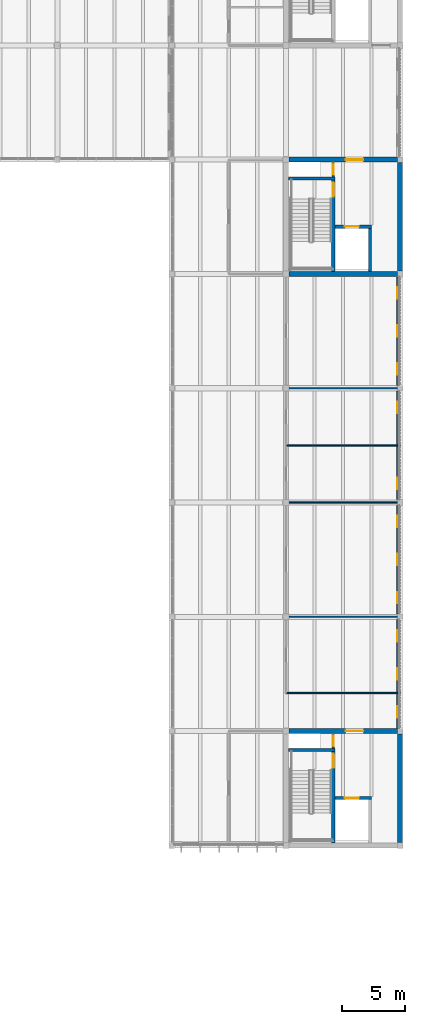
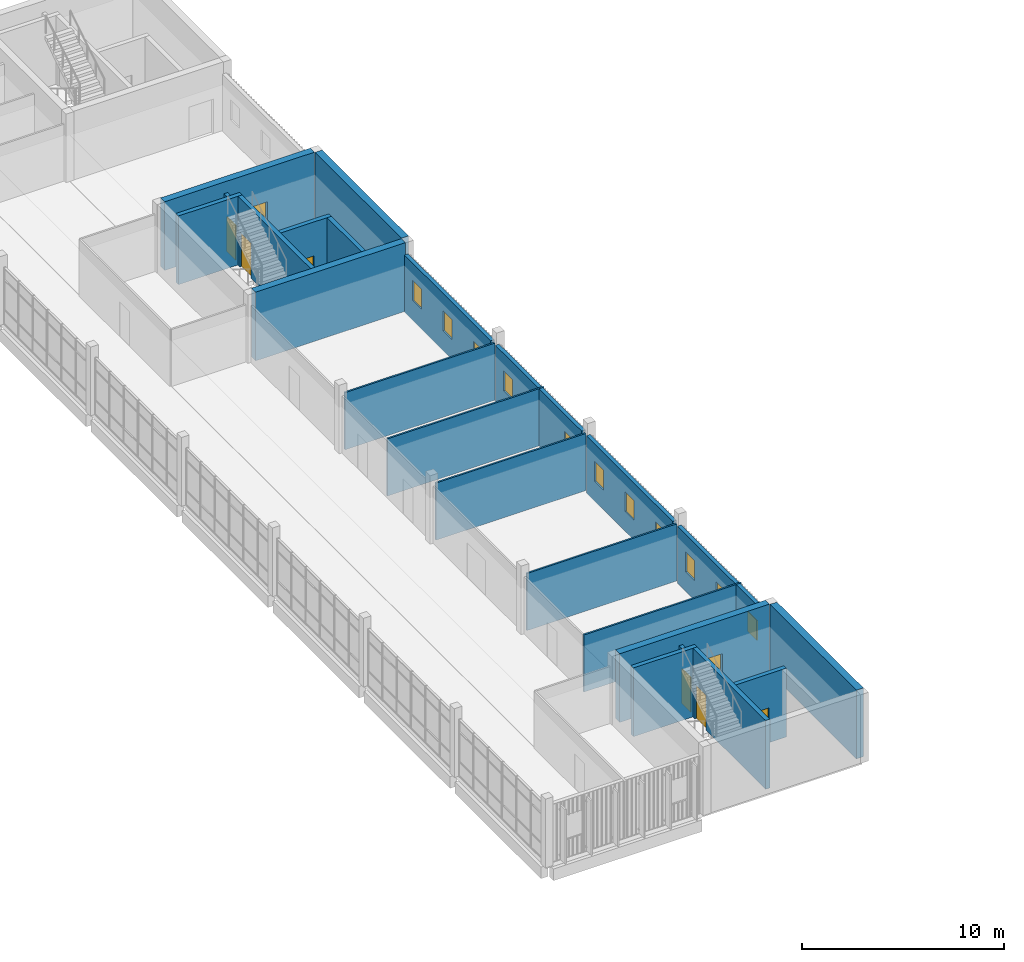
# One storey, part 55 of 88: 25 walls, 11 windows, 8 doors, 19 openings.
"""IFC4 building model written with IfcOpenShell, lengths in metres."""

from ifc_helpers import new_model, si_unit, direction, frame, frame_2d, origin, place, context, subcontext, project, spatial, rectangle, extrude, material, layer, layer_set, type_object, element, fill, save


model = new_model("IFC4")

# Units and contexts
model_context = context("Model", 3, precision=1e-05, world=origin(), true_north=direction((0.0, 1.0)))
body_context = subcontext(model_context, "Body", "Model", "MODEL_VIEW")
ifc_project = project(units=[si_unit("LENGTHUNIT", "METRE"), si_unit("AREAUNIT", "SQUARE_METRE"), si_unit("VOLUMEUNIT", "CUBIC_METRE"), si_unit("PLANEANGLEUNIT", "RADIAN"), si_unit("MASSUNIT", "GRAM", prefix="KILO")], contexts=[model_context])

# Site, building, storey
site_placement = place(None, origin())
site = spatial("IfcSite", under=ifc_project, at=site_placement, CompositionType="ELEMENT")
building_placement = place(site_placement, origin())
building = spatial("IfcBuilding", under=site, at=building_placement, Name="Merrow Basin Faculty of Sciences", CompositionType="ELEMENT")
storey_placement = place(building_placement, frame((0.0, 0.0, 9.0)))
storey = spatial("IfcBuildingStorey", under=building, at=storey_placement, Name="L02", CompositionType="ELEMENT", Elevation=9.0)

# Wall, opening, window
ifc_material_1 = material(Name="Precast concrete C40/50", Category="concrete")
ifc_layer_1 = layer(ifc_material_1, 0.215087890625)
ifc_layer_set_1 = layer_set([ifc_layer_1], Name="External infill wall 215 Precast concrete C40/50")
wall_type_1 = type_object("IfcWallType", Name="External infill wall 215 Precast concrete C40/50", PredefinedType="STANDARD", material=ifc_layer_set_1)
wall_1_placement = place(storey_placement, frame((71.80810546875, 72.949951171875, 0.0), z_axis=(0.0, 0.0, 1.0), x_axis=(0.0, -1.0, 0.0)))
wall_1 = element("IfcWall", 1, at=wall_1_placement, inside=storey, type_object=wall_type_1, Name="E external wall 1", PredefinedType="STANDARD", context=body_context, shape_type="SweptSolid", body=[
    extrude(rectangle(XDim=2.724853515625, YDim=0.215087890625, at=frame_2d((1.3623046875, 0.0))), origin(), (0.0, 0.0, 1.0), 3.449951171875),
])
opening_1_placement = place(wall_1_placement, frame((1.0, 0.0, 1.199951171875)))
opening_1 = element("IfcOpeningElement", 2, at=opening_1_placement, cuts=wall_1, Name="Opening WN18", PredefinedType="OPENING", context=body_context, shape_type="SweptSolid", body=[
    extrude(rectangle(XDim=0.89990234375, YDim=1.199951171875, at=frame_2d((0.449951171875, 0.60009765625))), frame((0.0, 0.117431640625, 0.0), z_axis=(0.0, -1.0, 0.0), x_axis=(1.0, 0.0, 0.0)), (0.0, 0.0, 1.0), 0.235107421875),
])
ifc_material_2 = material(Name="Low-E double glazing", Category="glass")
window_type = type_object("IfcWindowType", Name="Boundary window 900 x 1200", PartitioningType="SINGLE_PANEL", PredefinedType="WINDOW", material=ifc_material_2)
window_1_placement = place(opening_1_placement, origin())
window_1 = element("IfcWindow", 3, at=window_1_placement, inside=storey, type_object=window_type, Name="E window L02", OverallHeight=1.199951171875, OverallWidth=0.89990234375, PartitioningType="SINGLE_PANEL", PredefinedType="WINDOW", context=body_context, shape_type="SweptSolid", body=[
    extrude(rectangle(XDim=0.89990234375, YDim=1.199951171875, at=frame_2d((0.449951171875, 0.60009765625))), frame((0.0, 0.030029296875, 0.0), z_axis=(0.0, -1.0, 0.0), x_axis=(1.0, 0.0, 0.0)), (0.0, 0.0, 1.0), 0.06005859375),
])
fill(opening_1, window_1)

# Wall, openings, windows
wall_2_placement = place(storey_placement, frame((71.80810546875, 78.77490234375, 0.0), z_axis=(0.0, 0.0, 1.0), x_axis=(0.0, -1.0, 0.0)))
wall_2 = element("IfcWall", 4, at=wall_2_placement, inside=storey, type_object=wall_type_1, Name="E external wall 2", PredefinedType="STANDARD", context=body_context, shape_type="SweptSolid", body=[
    extrude(rectangle(XDim=5.724853515625, YDim=0.215087890625, at=frame_2d((2.8623046875, 0.0))), origin(), (0.0, 0.0, 1.0), 3.449951171875),
])
opening_2_placement = place(wall_2_placement, frame((3.824951171875, 0.0, 1.199951171875)))
opening_2 = element("IfcOpeningElement", 5, at=opening_2_placement, cuts=wall_2, Name="Opening WN18", PredefinedType="OPENING", context=body_context, shape_type="SweptSolid", body=[
    extrude(rectangle(XDim=0.89990234375, YDim=1.199951171875, at=frame_2d((0.449951171875, 0.60009765625))), frame((0.0, 0.117431640625, 0.0), z_axis=(0.0, -1.0, 0.0), x_axis=(1.0, 0.0, 0.0)), (0.0, 0.0, 1.0), 0.235107421875),
])
opening_3_placement = place(wall_2_placement, frame((0.824951171875, 0.0, 1.199951171875)))
opening_3 = element("IfcOpeningElement", 6, at=opening_3_placement, cuts=wall_2, Name="Opening WN18", PredefinedType="OPENING", context=body_context, shape_type="SweptSolid", body=[
    extrude(rectangle(XDim=0.89990234375, YDim=1.199951171875, at=frame_2d((0.449951171875, 0.60009765625))), frame((0.0, 0.117431640625, 0.0), z_axis=(0.0, -1.0, 0.0), x_axis=(1.0, 0.0, 0.0)), (0.0, 0.0, 1.0), 0.235107421875),
])
window_2_placement = place(opening_2_placement, origin())
window_2 = element("IfcWindow", 7, at=window_2_placement, inside=storey, type_object=window_type, Name="E window L02", OverallHeight=1.199951171875, OverallWidth=0.89990234375, PartitioningType="SINGLE_PANEL", PredefinedType="WINDOW", context=body_context, shape_type="SweptSolid", body=[
    extrude(rectangle(XDim=0.89990234375, YDim=1.199951171875, at=frame_2d((0.449951171875, 0.60009765625))), frame((0.0, 0.030029296875, 0.0), z_axis=(0.0, -1.0, 0.0), x_axis=(1.0, 0.0, 0.0)), (0.0, 0.0, 1.0), 0.06005859375),
])
fill(opening_2, window_2)
window_3_placement = place(opening_3_placement, origin())
window_3 = element("IfcWindow", 8, at=window_3_placement, inside=storey, type_object=window_type, Name="E window L02", OverallHeight=1.199951171875, OverallWidth=0.89990234375, PartitioningType="SINGLE_PANEL", PredefinedType="WINDOW", context=body_context, shape_type="SweptSolid", body=[
    extrude(rectangle(XDim=0.89990234375, YDim=1.199951171875, at=frame_2d((0.449951171875, 0.60009765625))), frame((0.0, 0.030029296875, 0.0), z_axis=(0.0, -1.0, 0.0), x_axis=(1.0, 0.0, 0.0)), (0.0, 0.0, 1.0), 0.06005859375),
])
fill(opening_3, window_3)

wall_3_placement = place(storey_placement, frame((71.80810546875, 87.77490234375, 0.0), z_axis=(0.0, 0.0, 1.0), x_axis=(0.0, -1.0, 0.0)))
wall_3 = element("IfcWall", 9, at=wall_3_placement, inside=storey, type_object=wall_type_1, Name="E external wall 3", PredefinedType="STANDARD", context=body_context, shape_type="SweptSolid", body=[
    extrude(rectangle(XDim=8.5498046875, YDim=0.215087890625, at=frame_2d((4.27490234375, 0.0))), origin(), (0.0, 0.0, 1.0), 3.449951171875),
])
opening_4_placement = place(wall_3_placement, frame((6.824951171875, 0.0, 1.199951171875)))
opening_4 = element("IfcOpeningElement", 10, at=opening_4_placement, cuts=wall_3, Name="Opening WN18", PredefinedType="OPENING", context=body_context, shape_type="SweptSolid", body=[
    extrude(rectangle(XDim=0.89990234375, YDim=1.199951171875, at=frame_2d((0.449951171875, 0.60009765625))), frame((0.0, 0.117431640625, 0.0), z_axis=(0.0, -1.0, 0.0), x_axis=(1.0, 0.0, 0.0)), (0.0, 0.0, 1.0), 0.235107421875),
])
opening_5_placement = place(wall_3_placement, frame((3.824951171875, 0.0, 1.199951171875)))
opening_5 = element("IfcOpeningElement", 11, at=opening_5_placement, cuts=wall_3, Name="Opening WN18", PredefinedType="OPENING", context=body_context, shape_type="SweptSolid", body=[
    extrude(rectangle(XDim=0.89990234375, YDim=1.199951171875, at=frame_2d((0.449951171875, 0.60009765625))), frame((0.0, 0.117431640625, 0.0), z_axis=(0.0, -1.0, 0.0), x_axis=(1.0, 0.0, 0.0)), (0.0, 0.0, 1.0), 0.235107421875),
])
opening_6_placement = place(wall_3_placement, frame((0.824951171875, 0.0, 1.199951171875)))
opening_6 = element("IfcOpeningElement", 12, at=opening_6_placement, cuts=wall_3, Name="Opening WN18", PredefinedType="OPENING", context=body_context, shape_type="SweptSolid", body=[
    extrude(rectangle(XDim=0.89990234375, YDim=1.199951171875, at=frame_2d((0.449951171875, 0.60009765625))), frame((0.0, 0.117431640625, 0.0), z_axis=(0.0, -1.0, 0.0), x_axis=(1.0, 0.0, 0.0)), (0.0, 0.0, 1.0), 0.235107421875),
])
window_4_placement = place(opening_4_placement, origin())
window_4 = element("IfcWindow", 13, at=window_4_placement, inside=storey, type_object=window_type, Name="E window L02", OverallHeight=1.199951171875, OverallWidth=0.89990234375, PartitioningType="SINGLE_PANEL", PredefinedType="WINDOW", context=body_context, shape_type="SweptSolid", body=[
    extrude(rectangle(XDim=0.89990234375, YDim=1.199951171875, at=frame_2d((0.449951171875, 0.60009765625))), frame((0.0, 0.030029296875, 0.0), z_axis=(0.0, -1.0, 0.0), x_axis=(1.0, 0.0, 0.0)), (0.0, 0.0, 1.0), 0.06005859375),
])
fill(opening_4, window_4)
window_5_placement = place(opening_5_placement, origin())
window_5 = element("IfcWindow", 14, at=window_5_placement, inside=storey, type_object=window_type, Name="E window L02", OverallHeight=1.199951171875, OverallWidth=0.89990234375, PartitioningType="SINGLE_PANEL", PredefinedType="WINDOW", context=body_context, shape_type="SweptSolid", body=[
    extrude(rectangle(XDim=0.89990234375, YDim=1.199951171875, at=frame_2d((0.449951171875, 0.60009765625))), frame((0.0, 0.030029296875, 0.0), z_axis=(0.0, -1.0, 0.0), x_axis=(1.0, 0.0, 0.0)), (0.0, 0.0, 1.0), 0.06005859375),
])
fill(opening_5, window_5)
window_6_placement = place(opening_6_placement, origin())
window_6 = element("IfcWindow", 15, at=window_6_placement, inside=storey, type_object=window_type, Name="E window L02", OverallHeight=1.199951171875, OverallWidth=0.89990234375, PartitioningType="SINGLE_PANEL", PredefinedType="WINDOW", context=body_context, shape_type="SweptSolid", body=[
    extrude(rectangle(XDim=0.89990234375, YDim=1.199951171875, at=frame_2d((0.449951171875, 0.60009765625))), frame((0.0, 0.030029296875, 0.0), z_axis=(0.0, -1.0, 0.0), x_axis=(1.0, 0.0, 0.0)), (0.0, 0.0, 1.0), 0.06005859375),
])
fill(opening_6, window_6)

# Wall, opening, window
wall_4_placement = place(storey_placement, frame((71.80810546875, 92.449951171875, 0.0), z_axis=(0.0, 0.0, 1.0), x_axis=(0.0, -1.0, 0.0)))
wall_4 = element("IfcWall", 16, at=wall_4_placement, inside=storey, type_object=wall_type_1, Name="E external wall 4", PredefinedType="STANDARD", context=body_context, shape_type="SweptSolid", body=[
    extrude(rectangle(XDim=4.224853515625, YDim=0.215087890625, at=frame_2d((2.1123046875, 0.0))), origin(), (0.0, 0.0, 1.0), 3.449951171875),
])
opening_7_placement = place(wall_4_placement, frame((2.5, 0.0, 1.199951171875)))
opening_7 = element("IfcOpeningElement", 17, at=opening_7_placement, cuts=wall_4, Name="Opening WN18", PredefinedType="OPENING", context=body_context, shape_type="SweptSolid", body=[
    extrude(rectangle(XDim=0.89990234375, YDim=1.199951171875, at=frame_2d((0.449951171875, 0.60009765625))), frame((0.0, 0.117431640625, 0.0), z_axis=(0.0, -1.0, 0.0), x_axis=(1.0, 0.0, 0.0)), (0.0, 0.0, 1.0), 0.235107421875),
])
window_7_placement = place(opening_7_placement, origin())
window_7 = element("IfcWindow", 18, at=window_7_placement, inside=storey, type_object=window_type, Name="E window L02", OverallHeight=1.199951171875, OverallWidth=0.89990234375, PartitioningType="SINGLE_PANEL", PredefinedType="WINDOW", context=body_context, shape_type="SweptSolid", body=[
    extrude(rectangle(XDim=0.89990234375, YDim=1.199951171875, at=frame_2d((0.449951171875, 0.60009765625))), frame((0.0, 0.030029296875, 0.0), z_axis=(0.0, -1.0, 0.0), x_axis=(1.0, 0.0, 0.0)), (0.0, 0.0, 1.0), 0.06005859375),
])
fill(opening_7, window_7)

wall_5_placement = place(storey_placement, frame((71.80810546875, 96.77490234375, 0.0), z_axis=(0.0, 0.0, 1.0), x_axis=(0.0, -1.0, 0.0)))
wall_5 = element("IfcWall", 19, at=wall_5_placement, inside=storey, type_object=wall_type_1, Name="E external wall 5", PredefinedType="STANDARD", context=body_context, shape_type="SweptSolid", body=[
    extrude(rectangle(XDim=4.224853515625, YDim=0.215087890625, at=frame_2d((2.1123046875, 0.0))), origin(), (0.0, 0.0, 1.0), 3.449951171875),
])
opening_8_placement = place(wall_5_placement, frame((0.824951171875, 0.0, 1.199951171875)))
opening_8 = element("IfcOpeningElement", 20, at=opening_8_placement, cuts=wall_5, Name="Opening WN18", PredefinedType="OPENING", context=body_context, shape_type="SweptSolid", body=[
    extrude(rectangle(XDim=0.89990234375, YDim=1.199951171875, at=frame_2d((0.449951171875, 0.60009765625))), frame((0.0, 0.117431640625, 0.0), z_axis=(0.0, -1.0, 0.0), x_axis=(1.0, 0.0, 0.0)), (0.0, 0.0, 1.0), 0.235107421875),
])
window_8_placement = place(opening_8_placement, origin())
window_8 = element("IfcWindow", 21, at=window_8_placement, inside=storey, type_object=window_type, Name="E window L02", OverallHeight=1.199951171875, OverallWidth=0.89990234375, PartitioningType="SINGLE_PANEL", PredefinedType="WINDOW", context=body_context, shape_type="SweptSolid", body=[
    extrude(rectangle(XDim=0.89990234375, YDim=1.199951171875, at=frame_2d((0.449951171875, 0.60009765625))), frame((0.0, 0.030029296875, 0.0), z_axis=(0.0, -1.0, 0.0), x_axis=(1.0, 0.0, 0.0)), (0.0, 0.0, 1.0), 0.06005859375),
])
fill(opening_8, window_8)

# Wall, openings, windows
wall_6_placement = place(storey_placement, frame((71.80810546875, 105.77490234375, 0.0), z_axis=(0.0, 0.0, 1.0), x_axis=(0.0, -1.0, 0.0)))
wall_6 = element("IfcWall", 22, at=wall_6_placement, inside=storey, type_object=wall_type_1, Name="E external wall 6", PredefinedType="STANDARD", context=body_context, shape_type="SweptSolid", body=[
    extrude(rectangle(XDim=8.5498046875, YDim=0.215087890625, at=frame_2d((4.27490234375, 0.0))), origin(), (0.0, 0.0, 1.0), 3.449951171875),
])
opening_9_placement = place(wall_6_placement, frame((6.824951171875, 0.0, 1.199951171875)))
opening_9 = element("IfcOpeningElement", 23, at=opening_9_placement, cuts=wall_6, Name="Opening WN18", PredefinedType="OPENING", context=body_context, shape_type="SweptSolid", body=[
    extrude(rectangle(XDim=0.89990234375, YDim=1.199951171875, at=frame_2d((0.449951171875, 0.60009765625))), frame((0.0, 0.117431640625, 0.0), z_axis=(0.0, -1.0, 0.0), x_axis=(1.0, 0.0, 0.0)), (0.0, 0.0, 1.0), 0.235107421875),
])
opening_10_placement = place(wall_6_placement, frame((3.824951171875, 0.0, 1.199951171875)))
opening_10 = element("IfcOpeningElement", 24, at=opening_10_placement, cuts=wall_6, Name="Opening WN18", PredefinedType="OPENING", context=body_context, shape_type="SweptSolid", body=[
    extrude(rectangle(XDim=0.89990234375, YDim=1.199951171875, at=frame_2d((0.449951171875, 0.60009765625))), frame((0.0, 0.117431640625, 0.0), z_axis=(0.0, -1.0, 0.0), x_axis=(1.0, 0.0, 0.0)), (0.0, 0.0, 1.0), 0.235107421875),
])
opening_11_placement = place(wall_6_placement, frame((0.824951171875, 0.0, 1.199951171875)))
opening_11 = element("IfcOpeningElement", 25, at=opening_11_placement, cuts=wall_6, Name="Opening WN18", PredefinedType="OPENING", context=body_context, shape_type="SweptSolid", body=[
    extrude(rectangle(XDim=0.89990234375, YDim=1.199951171875, at=frame_2d((0.449951171875, 0.60009765625))), frame((0.0, 0.117431640625, 0.0), z_axis=(0.0, -1.0, 0.0), x_axis=(1.0, 0.0, 0.0)), (0.0, 0.0, 1.0), 0.235107421875),
])
window_9_placement = place(opening_9_placement, origin())
window_9 = element("IfcWindow", 26, at=window_9_placement, inside=storey, type_object=window_type, Name="E window L02", OverallHeight=1.199951171875, OverallWidth=0.89990234375, PartitioningType="SINGLE_PANEL", PredefinedType="WINDOW", context=body_context, shape_type="SweptSolid", body=[
    extrude(rectangle(XDim=0.89990234375, YDim=1.199951171875, at=frame_2d((0.449951171875, 0.60009765625))), frame((0.0, 0.030029296875, 0.0), z_axis=(0.0, -1.0, 0.0), x_axis=(1.0, 0.0, 0.0)), (0.0, 0.0, 1.0), 0.06005859375),
])
fill(opening_9, window_9)
window_10_placement = place(opening_10_placement, origin())
window_10 = element("IfcWindow", 27, at=window_10_placement, inside=storey, type_object=window_type, Name="E window L02", OverallHeight=1.199951171875, OverallWidth=0.89990234375, PartitioningType="SINGLE_PANEL", PredefinedType="WINDOW", context=body_context, shape_type="SweptSolid", body=[
    extrude(rectangle(XDim=0.89990234375, YDim=1.199951171875, at=frame_2d((0.449951171875, 0.60009765625))), frame((0.0, 0.030029296875, 0.0), z_axis=(0.0, -1.0, 0.0), x_axis=(1.0, 0.0, 0.0)), (0.0, 0.0, 1.0), 0.06005859375),
])
fill(opening_10, window_10)
window_11_placement = place(opening_11_placement, origin())
window_11 = element("IfcWindow", 28, at=window_11_placement, inside=storey, type_object=window_type, Name="E window L02", OverallHeight=1.199951171875, OverallWidth=0.89990234375, PartitioningType="SINGLE_PANEL", PredefinedType="WINDOW", context=body_context, shape_type="SweptSolid", body=[
    extrude(rectangle(XDim=0.89990234375, YDim=1.199951171875, at=frame_2d((0.449951171875, 0.60009765625))), frame((0.0, 0.030029296875, 0.0), z_axis=(0.0, -1.0, 0.0), x_axis=(1.0, 0.0, 0.0)), (0.0, 0.0, 1.0), 0.06005859375),
])
fill(opening_11, window_11)

# Walls
ifc_material_3 = material(Name="Gypsum board")
ifc_layer_2 = layer(ifc_material_3, 0.10009765625)
ifc_layer_set_2 = layer_set([ifc_layer_2], Name="Partition 100 gypsum board on steel studs")
wall_type_2 = type_object("IfcWallType", Name="Partition 100 gypsum board on steel studs", PredefinedType="PARTITIONING", material=ifc_layer_set_2)
wall_7_placement = place(storey_placement, frame((63.0, 73.0, 0.0), z_axis=(0.0, 0.0, 1.0), x_axis=(1.0, 0.0, 0.0)))
element("IfcWall", 29, at=wall_7_placement, inside=storey, type_object=wall_type_2, Name="IW100 L02 017", PredefinedType="PARTITIONING", context=body_context, shape_type="SweptSolid", body=[
    extrude(rectangle(XDim=9.0, YDim=0.10009765625, at=frame_2d((4.5, 0.0))), origin(), (0.0, 0.0, 1.0), 3.449951171875),
])
for number, where, z_axis, x_axis, name in (
    (30, (63.22509765625, 79.0, 0.0), (0.0, 0.0, 1.0), (1.0, 0.0, 0.0), "IW100 L02 018"),
    (31, (63.22509765625, 88.0, 0.0), (0.0, 0.0, 1.0), (1.0, 0.0, 0.0), "IW100 L02 019"),
):
    element("IfcWall", number, at=place(storey_placement, frame(where, z_axis=z_axis, x_axis=x_axis)), inside=storey, type_object=wall_type_2, Name=name, PredefinedType="PARTITIONING", context=body_context, shape_type="SweptSolid", body=[
        extrude(rectangle(XDim=8.5498046875, YDim=0.10009765625, at=frame_2d((4.27490234375, 0.0))), origin(), (0.0, 0.0, 1.0), 3.449951171875),
    ])
wall_8_placement = place(storey_placement, frame((63.050048828125, 92.5, 0.0), z_axis=(0.0, 0.0, 1.0), x_axis=(1.0, 0.0, 0.0)))
element("IfcWall", 32, at=wall_8_placement, inside=storey, type_object=wall_type_2, Name="IW100 L02 020", PredefinedType="PARTITIONING", context=body_context, shape_type="SweptSolid", body=[
    extrude(rectangle(XDim=8.949951171875, YDim=0.10009765625, at=frame_2d((4.47509765625, 0.0))), origin(), (0.0, 0.0, 1.0), 3.449951171875),
])
wall_9_placement = place(storey_placement, frame((63.22509765625, 97.0, 0.0), z_axis=(0.0, 0.0, 1.0), x_axis=(1.0, 0.0, 0.0)))
element("IfcWall", 33, at=wall_9_placement, inside=storey, type_object=wall_type_2, Name="IW100 L02 021", PredefinedType="PARTITIONING", context=body_context, shape_type="SweptSolid", body=[
    extrude(rectangle(XDim=8.5498046875, YDim=0.10009765625, at=frame_2d((4.27490234375, 0.0))), origin(), (0.0, 0.0, 1.0), 3.449951171875),
])

# Wall, opening, door
ifc_material_4 = material(Name="Fire-rated gypsum board")
ifc_layer_3 = layer(ifc_material_4, 0.199951171875)
ifc_layer_set_3 = layer_set([ifc_layer_3], Name="Riser lining 200 fire-rated board on steel studs")
wall_type_3 = type_object("IfcWallType", Name="Riser lining 200 fire-rated board on steel studs", PredefinedType="PARTITIONING", material=ifc_layer_set_3)
wall_10_placement = place(storey_placement, frame((66.72509765625, 68.64990234375, 0.0), z_axis=(0.0, 0.0, 1.0), x_axis=(0.0, 1.0, 0.0)))
wall_10 = element("IfcWall", 34, at=wall_10_placement, inside=storey, type_object=wall_type_3, Name="IW200 L02 002", PredefinedType="PARTITIONING", context=body_context, shape_type="SweptSolid", body=[
    extrude(rectangle(XDim=1.150146484375, YDim=0.199951171875, at=frame_2d((0.5751953125, 0.0))), origin(), (0.0, 0.0, 1.0), 3.449951171875),
])
opening_12_placement = place(wall_10_placement, frame((0.14990234375, 0.0, 0.0)))
opening_12 = element("IfcOpeningElement", 35, at=opening_12_placement, cuts=wall_10, Name="Opening D02C003", PredefinedType="OPENING", context=body_context, shape_type="SweptSolid", body=[
    extrude(rectangle(XDim=0.89990234375, YDim=2.10009765625, at=frame_2d((0.449951171875, 1.050048828125))), frame((0.0, 0.10986328125, 0.0), z_axis=(0.0, -1.0, 0.0), x_axis=(1.0, 0.0, 0.0)), (0.0, 0.0, 1.0), 0.219970703125),
])
ifc_material_5 = material(Name="Fire-rated steel door", Category="steel")
door_type_1 = type_object("IfcDoorType", Name="Fire door FD60 900 x 2100", OperationType="NOTDEFINED", PredefinedType="DOOR", material=ifc_material_5)
door_1_placement = place(opening_12_placement, origin())
door_1 = element("IfcDoor", 36, at=door_1_placement, inside=storey, type_object=door_type_1, Name="Door D02C003", OperationType="SINGLE_SWING_LEFT", OverallHeight=2.10009765625, OverallWidth=0.89990234375, PredefinedType="DOOR", context=body_context, shape_type="SweptSolid", body=[
    extrude(rectangle(XDim=0.89990234375, YDim=2.10009765625, at=frame_2d((0.449951171875, 1.050048828125))), frame((0.0, 0.02490234375, 0.0), z_axis=(0.0, -1.0, 0.0), x_axis=(1.0, 0.0, 0.0)), (0.0, 0.0, 1.0), 0.050048828125),
])
fill(opening_12, door_1)

wall_11_placement = place(storey_placement, frame((66.72509765625, 113.64990234375, 0.0), z_axis=(0.0, 0.0, 1.0), x_axis=(0.0, 1.0, 0.0)))
wall_11 = element("IfcWall", 37, at=wall_11_placement, inside=storey, type_object=wall_type_3, Name="IW200 L02 003", PredefinedType="PARTITIONING", context=body_context, shape_type="SweptSolid", body=[
    extrude(rectangle(XDim=1.150146484375, YDim=0.199951171875, at=frame_2d((0.5751953125, 0.0))), origin(), (0.0, 0.0, 1.0), 3.449951171875),
])
opening_13_placement = place(wall_11_placement, frame((0.14990234375, 0.0, 0.0)))
opening_13 = element("IfcOpeningElement", 38, at=opening_13_placement, cuts=wall_11, Name="Opening D02C006", PredefinedType="OPENING", context=body_context, shape_type="SweptSolid", body=[
    extrude(rectangle(XDim=0.89990234375, YDim=2.10009765625, at=frame_2d((0.449951171875, 1.050048828125))), frame((0.0, 0.10986328125, 0.0), z_axis=(0.0, -1.0, 0.0), x_axis=(1.0, 0.0, 0.0)), (0.0, 0.0, 1.0), 0.219970703125),
])
door_2_placement = place(opening_13_placement, origin())
door_2 = element("IfcDoor", 39, at=door_2_placement, inside=storey, type_object=door_type_1, Name="Door D02C006", OperationType="SINGLE_SWING_LEFT", OverallHeight=2.10009765625, OverallWidth=0.89990234375, PredefinedType="DOOR", context=body_context, shape_type="SweptSolid", body=[
    extrude(rectangle(XDim=0.89990234375, YDim=2.10009765625, at=frame_2d((0.449951171875, 1.050048828125))), frame((0.0, 0.02490234375, 0.0), z_axis=(0.0, -1.0, 0.0), x_axis=(1.0, 0.0, 0.0)), (0.0, 0.0, 1.0), 0.050048828125),
])
fill(opening_13, door_2)

# Wall
ifc_material_6 = material(Name="Concrete C40/50", Category="concrete")
ifc_layer_4 = layer(ifc_material_6, 0.25)
ifc_layer_set_4 = layer_set([ifc_layer_4], Name="Shear wall 250 Concrete C40/50")
wall_type_4 = type_object("IfcWallType", Name="Shear wall 250 Concrete C40/50", PredefinedType="SHEAR", material=ifc_layer_set_4)
wall_12_placement = place(storey_placement, frame((63.199951171875, 68.52490234375, 0.0), z_axis=(0.0, 0.0, 1.0), x_axis=(1.0, 0.0, 0.0)))
element("IfcWall", 40, at=wall_12_placement, inside=storey, type_object=wall_type_4, Name="SW2 L02 013", PredefinedType="SHEAR", context=body_context, shape_type="SweptSolid", body=[
    extrude(rectangle(XDim=3.650146484375, YDim=0.25, at=frame_2d((1.8251953125, 0.0))), origin(), (0.0, 0.0, 1.0), 4.14990234375),
])

# Wall, opening, door
wall_13_placement = place(storey_placement, frame((66.72509765625, 61.199951171875, 0.0), z_axis=(0.0, 0.0, 1.0), x_axis=(0.0, 1.0, 0.0)))
wall_13 = element("IfcWall", 41, at=wall_13_placement, inside=storey, type_object=wall_type_4, Name="SW2 L02 014", PredefinedType="SHEAR", context=body_context, shape_type="SweptSolid", body=[
    extrude(rectangle(XDim=7.199951171875, YDim=0.25, at=frame_2d((3.60009765625, 0.0))), origin(), (0.0, 0.0, 1.0), 4.14990234375),
])
opening_14_placement = place(wall_13_placement, frame((5.89990234375, 0.0, 0.0)))
opening_14 = element("IfcOpeningElement", 42, at=opening_14_placement, cuts=wall_13, Name="Opening D02C001", PredefinedType="OPENING", context=body_context, shape_type="SweptSolid", body=[
    extrude(rectangle(XDim=1.10009765625, YDim=2.10009765625, at=frame_2d((0.550048828125, 1.050048828125))), frame((0.0, 0.135009765625, 0.0), z_axis=(0.0, -1.0, 0.0), x_axis=(1.0, 0.0, 0.0)), (0.0, 0.0, 1.0), 0.27001953125),
])
ifc_material_7 = material(Name="Fire-rated steel door", Category="steel")
door_type_2 = type_object("IfcDoorType", Name="Fire door FD90 1100 x 2100", OperationType="NOTDEFINED", PredefinedType="DOOR", material=ifc_material_7)
door_3_placement = place(opening_14_placement, origin())
door_3 = element("IfcDoor", 43, at=door_3_placement, inside=storey, type_object=door_type_2, Name="Door D02C001", OperationType="SINGLE_SWING_RIGHT", OverallHeight=2.10009765625, OverallWidth=1.10009765625, PredefinedType="DOOR", context=body_context, shape_type="SweptSolid", body=[
    extrude(rectangle(XDim=1.10009765625, YDim=2.10009765625, at=frame_2d((0.550048828125, 1.050048828125))), frame((0.0, 0.02490234375, 0.0), z_axis=(0.0, -1.0, 0.0), x_axis=(1.0, 0.0, 0.0)), (0.0, 0.0, 1.0), 0.050048828125),
])
fill(opening_14, door_3)

wall_14_placement = place(storey_placement, frame((66.85009765625, 64.72509765625, 0.0), z_axis=(0.0, 0.0, 1.0), x_axis=(1.0, 0.0, 0.0)))
wall_14 = element("IfcWall", 44, at=wall_14_placement, inside=storey, type_object=wall_type_4, Name="SW2 L02 015", PredefinedType="SHEAR", context=body_context, shape_type="SweptSolid", body=[
    extrude(rectangle(XDim=2.89990234375, YDim=0.25, at=frame_2d((1.449951171875, 0.0))), origin(), (0.0, 0.0, 1.0), 4.14990234375),
])
opening_15_placement = place(wall_14_placement, frame((0.800048828125, 0.0, 0.0)))
opening_15 = element("IfcOpeningElement", 45, at=opening_15_placement, cuts=wall_14, Name="Opening LD02C02", PredefinedType="OPENING", context=body_context, shape_type="SweptSolid", body=[
    extrude(rectangle(XDim=1.10009765625, YDim=2.10009765625, at=frame_2d((0.550048828125, 1.050048828125))), frame((0.0, 0.135009765625, 0.0), z_axis=(0.0, -1.0, 0.0), x_axis=(1.0, 0.0, 0.0)), (0.0, 0.0, 1.0), 0.27001953125),
])
ifc_material_8 = material(Name="Stainless steel sliding door", Category="steel")
door_type_3 = type_object("IfcDoorType", Name="Lift landing door 1100 x 2100 sliding", OperationType="NOTDEFINED", PredefinedType="DOOR", material=ifc_material_8)
door_4_placement = place(opening_15_placement, origin())
door_4 = element("IfcDoor", 46, at=door_4_placement, inside=storey, type_object=door_type_3, Name="Landing door LF6 L02", OperationType="SLIDING_TO_LEFT", OverallHeight=2.10009765625, OverallWidth=1.10009765625, PredefinedType="DOOR", context=body_context, shape_type="SweptSolid", body=[
    extrude(rectangle(XDim=1.10009765625, YDim=2.10009765625, at=frame_2d((0.550048828125, 1.050048828125))), frame((0.0, 0.02490234375, 0.0), z_axis=(0.0, -1.0, 0.0), x_axis=(1.0, 0.0, 0.0)), (0.0, 0.0, 1.0), 0.050048828125),
])
fill(opening_15, door_4)

# Wall
wall_15_placement = place(storey_placement, frame((63.199951171875, 113.52490234375, 0.0), z_axis=(0.0, 0.0, 1.0), x_axis=(1.0, 0.0, 0.0)))
element("IfcWall", 47, at=wall_15_placement, inside=storey, type_object=wall_type_4, Name="SW2 L02 021", PredefinedType="SHEAR", context=body_context, shape_type="SweptSolid", body=[
    extrude(rectangle(XDim=3.650146484375, YDim=0.25, at=frame_2d((1.8251953125, 0.0))), origin(), (0.0, 0.0, 1.0), 4.14990234375),
])

# Wall, opening, door
wall_16_placement = place(storey_placement, frame((66.72509765625, 106.199951171875, 0.0), z_axis=(0.0, 0.0, 1.0), x_axis=(0.0, 1.0, 0.0)))
wall_16 = element("IfcWall", 48, at=wall_16_placement, inside=storey, type_object=wall_type_4, Name="SW2 L02 022", PredefinedType="SHEAR", context=body_context, shape_type="SweptSolid", body=[
    extrude(rectangle(XDim=7.199951171875, YDim=0.25, at=frame_2d((3.60009765625, 0.0))), origin(), (0.0, 0.0, 1.0), 4.14990234375),
])
opening_16_placement = place(wall_16_placement, frame((5.89990234375, 0.0, 0.0)))
opening_16 = element("IfcOpeningElement", 49, at=opening_16_placement, cuts=wall_16, Name="Opening D02C004", PredefinedType="OPENING", context=body_context, shape_type="SweptSolid", body=[
    extrude(rectangle(XDim=1.10009765625, YDim=2.10009765625, at=frame_2d((0.550048828125, 1.050048828125))), frame((0.0, 0.135009765625, 0.0), z_axis=(0.0, -1.0, 0.0), x_axis=(1.0, 0.0, 0.0)), (0.0, 0.0, 1.0), 0.27001953125),
])
door_5_placement = place(opening_16_placement, origin())
door_5 = element("IfcDoor", 50, at=door_5_placement, inside=storey, type_object=door_type_2, Name="Door D02C004", OperationType="SINGLE_SWING_RIGHT", OverallHeight=2.10009765625, OverallWidth=1.10009765625, PredefinedType="DOOR", context=body_context, shape_type="SweptSolid", body=[
    extrude(rectangle(XDim=1.10009765625, YDim=2.10009765625, at=frame_2d((0.550048828125, 1.050048828125))), frame((0.0, 0.02490234375, 0.0), z_axis=(0.0, -1.0, 0.0), x_axis=(1.0, 0.0, 0.0)), (0.0, 0.0, 1.0), 0.050048828125),
])
fill(opening_16, door_5)

wall_17_placement = place(storey_placement, frame((66.85009765625, 109.72509765625, 0.0), z_axis=(0.0, 0.0, 1.0), x_axis=(1.0, 0.0, 0.0)))
wall_17 = element("IfcWall", 51, at=wall_17_placement, inside=storey, type_object=wall_type_4, Name="SW2 L02 023", PredefinedType="SHEAR", context=body_context, shape_type="SweptSolid", body=[
    extrude(rectangle(XDim=2.89990234375, YDim=0.25, at=frame_2d((1.449951171875, 0.0))), origin(), (0.0, 0.0, 1.0), 4.14990234375),
])
opening_17_placement = place(wall_17_placement, frame((0.800048828125, 0.0, 0.0)))
opening_17 = element("IfcOpeningElement", 52, at=opening_17_placement, cuts=wall_17, Name="Opening LD02C03", PredefinedType="OPENING", context=body_context, shape_type="SweptSolid", body=[
    extrude(rectangle(XDim=1.10009765625, YDim=2.10009765625, at=frame_2d((0.550048828125, 1.050048828125))), frame((0.0, 0.135009765625, 0.0), z_axis=(0.0, -1.0, 0.0), x_axis=(1.0, 0.0, 0.0)), (0.0, 0.0, 1.0), 0.27001953125),
])
door_6_placement = place(opening_17_placement, origin())
door_6 = element("IfcDoor", 53, at=door_6_placement, inside=storey, type_object=door_type_3, Name="Landing door LF7 L02", OperationType="SLIDING_TO_LEFT", OverallHeight=2.10009765625, OverallWidth=1.10009765625, PredefinedType="DOOR", context=body_context, shape_type="SweptSolid", body=[
    extrude(rectangle(XDim=1.10009765625, YDim=2.10009765625, at=frame_2d((0.550048828125, 1.050048828125))), frame((0.0, 0.02490234375, 0.0), z_axis=(0.0, -1.0, 0.0), x_axis=(1.0, 0.0, 0.0)), (0.0, 0.0, 1.0), 0.050048828125),
])
fill(opening_17, door_6)

# Wall
wall_18_placement = place(storey_placement, frame((69.625, 106.199951171875, 0.0), z_axis=(0.0, 0.0, 1.0), x_axis=(0.0, 1.0, 0.0)))
element("IfcWall", 54, at=wall_18_placement, inside=storey, type_object=wall_type_4, Name="SW2 L02 024", PredefinedType="SHEAR", context=body_context, shape_type="SweptSolid", body=[
    extrude(rectangle(XDim=3.400146484375, YDim=0.25, at=frame_2d((1.7001953125, 0.0))), origin(), (0.0, 0.0, 1.0), 4.14990234375),
])

# Wall, opening, door
ifc_material_9 = material(Name="Concrete C40/50", Category="concrete")
ifc_layer_5 = layer(ifc_material_9, 0.39990234375)
ifc_layer_set_5 = layer_set([ifc_layer_5], Name="Shear wall 400 Concrete C40/50")
wall_type_5 = type_object("IfcWallType", Name="Shear wall 400 Concrete C40/50", PredefinedType="SHEAR", material=ifc_layer_set_5)
wall_19_placement = place(storey_placement, frame((63.22509765625, 70.0, 0.0), z_axis=(0.0, 0.0, 1.0), x_axis=(1.0, 0.0, 0.0)))
wall_19 = element("IfcWall", 55, at=wall_19_placement, inside=storey, type_object=wall_type_5, Name="SW1 L02 010", PredefinedType="SHEAR", context=body_context, shape_type="SweptSolid", body=[
    extrude(rectangle(XDim=8.5498046875, YDim=0.39990234375, at=frame_2d((4.27490234375, 0.0))), origin(), (0.0, 0.0, 1.0), 4.14990234375),
])
opening_18_placement = place(wall_19_placement, frame((4.47509765625, 0.0, 0.0)))
opening_18 = element("IfcOpeningElement", 56, at=opening_18_placement, cuts=wall_19, Name="Opening D02C002", PredefinedType="OPENING", context=body_context, shape_type="SweptSolid", body=[
    extrude(rectangle(XDim=1.39990234375, YDim=2.10009765625, at=frame_2d((0.699951171875, 1.050048828125))), frame((0.0, 0.2099609375, 0.0), z_axis=(0.0, -1.0, 0.0), x_axis=(1.0, 0.0, 0.0)), (0.0, 0.0, 1.0), 0.419921875),
])
ifc_material_10 = material(Name="Fire-rated steel door", Category="steel")
door_type_4 = type_object("IfcDoorType", Name="Fire door FD60 1400 x 2100", OperationType="NOTDEFINED", PredefinedType="DOOR", material=ifc_material_10)
door_7_placement = place(opening_18_placement, origin())
door_7 = element("IfcDoor", 57, at=door_7_placement, inside=storey, type_object=door_type_4, Name="Door D02C002", OperationType="SINGLE_SWING_RIGHT", OverallHeight=2.10009765625, OverallWidth=1.39990234375, PredefinedType="DOOR", context=body_context, shape_type="SweptSolid", body=[
    extrude(rectangle(XDim=1.39990234375, YDim=2.10009765625, at=frame_2d((0.699951171875, 1.050048828125))), frame((0.0, 0.02490234375, 0.0), z_axis=(0.0, -1.0, 0.0), x_axis=(1.0, 0.0, 0.0)), (0.0, 0.0, 1.0), 0.050048828125),
])
fill(opening_18, door_7)

# Walls
for number, where, z_axis, x_axis, name in (
    (58, (72.0, 61.22509765625, 0.0), (0.0, 0.0, 1.0), (0.0, 1.0, 0.0), "SW1 L02 012"),
    (59, (63.22509765625, 106.0, 0.0), (0.0, 0.0, 1.0), (1.0, 0.0, 0.0), "SW1 L02 017"),
):
    element("IfcWall", number, at=place(storey_placement, frame(where, z_axis=z_axis, x_axis=x_axis)), inside=storey, type_object=wall_type_5, Name=name, PredefinedType="SHEAR", context=body_context, shape_type="SweptSolid", body=[
        extrude(rectangle(XDim=8.5498046875, YDim=0.39990234375, at=frame_2d((4.27490234375, 0.0))), origin(), (0.0, 0.0, 1.0), 4.14990234375),
    ])

# Wall, opening, door
wall_20_placement = place(storey_placement, frame((63.22509765625, 115.0, 0.0), z_axis=(0.0, 0.0, 1.0), x_axis=(1.0, 0.0, 0.0)))
wall_20 = element("IfcWall", 60, at=wall_20_placement, inside=storey, type_object=wall_type_5, Name="SW1 L02 018", PredefinedType="SHEAR", context=body_context, shape_type="SweptSolid", body=[
    extrude(rectangle(XDim=8.5498046875, YDim=0.39990234375, at=frame_2d((4.27490234375, 0.0))), origin(), (0.0, 0.0, 1.0), 4.14990234375),
])
opening_19_placement = place(wall_20_placement, frame((4.47509765625, 0.0, 0.0)))
opening_19 = element("IfcOpeningElement", 61, at=opening_19_placement, cuts=wall_20, Name="Opening D02C005", PredefinedType="OPENING", context=body_context, shape_type="SweptSolid", body=[
    extrude(rectangle(XDim=1.39990234375, YDim=2.10009765625, at=frame_2d((0.699951171875, 1.050048828125))), frame((0.0, 0.2099609375, 0.0), z_axis=(0.0, -1.0, 0.0), x_axis=(1.0, 0.0, 0.0)), (0.0, 0.0, 1.0), 0.419921875),
])
door_8_placement = place(opening_19_placement, origin())
door_8 = element("IfcDoor", 62, at=door_8_placement, inside=storey, type_object=door_type_4, Name="Door D02C005", OperationType="SINGLE_SWING_RIGHT", OverallHeight=2.10009765625, OverallWidth=1.39990234375, PredefinedType="DOOR", context=body_context, shape_type="SweptSolid", body=[
    extrude(rectangle(XDim=1.39990234375, YDim=2.10009765625, at=frame_2d((0.699951171875, 1.050048828125))), frame((0.0, 0.02490234375, 0.0), z_axis=(0.0, -1.0, 0.0), x_axis=(1.0, 0.0, 0.0)), (0.0, 0.0, 1.0), 0.050048828125),
])
fill(opening_19, door_8)

# Wall
wall_21_placement = place(storey_placement, frame((72.0, 106.22509765625, 0.0), z_axis=(0.0, 0.0, 1.0), x_axis=(0.0, 1.0, 0.0)))
element("IfcWall", 63, at=wall_21_placement, inside=storey, type_object=wall_type_5, Name="SW1 L02 020", PredefinedType="SHEAR", context=body_context, shape_type="SweptSolid", body=[
    extrude(rectangle(XDim=8.5498046875, YDim=0.39990234375, at=frame_2d((4.27490234375, 0.0))), origin(), (0.0, 0.0, 1.0), 4.14990234375),
])

save(model, "model.ifc")
